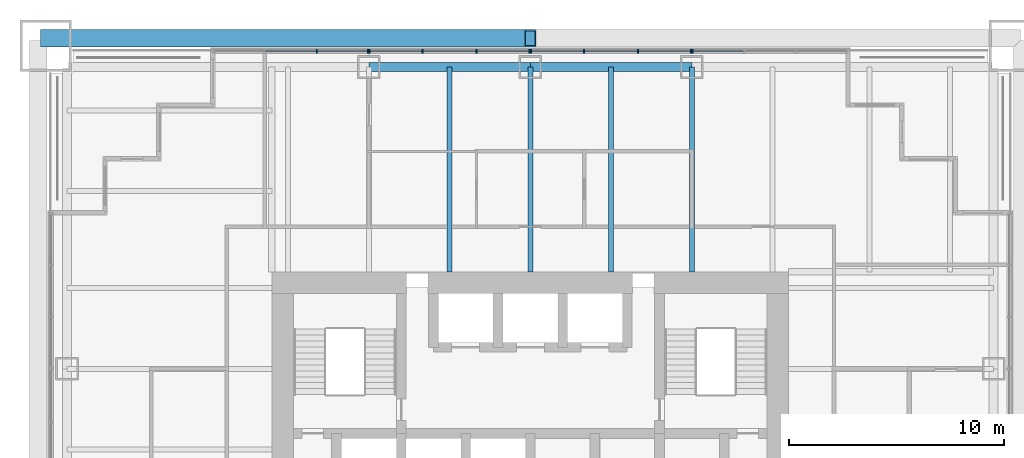
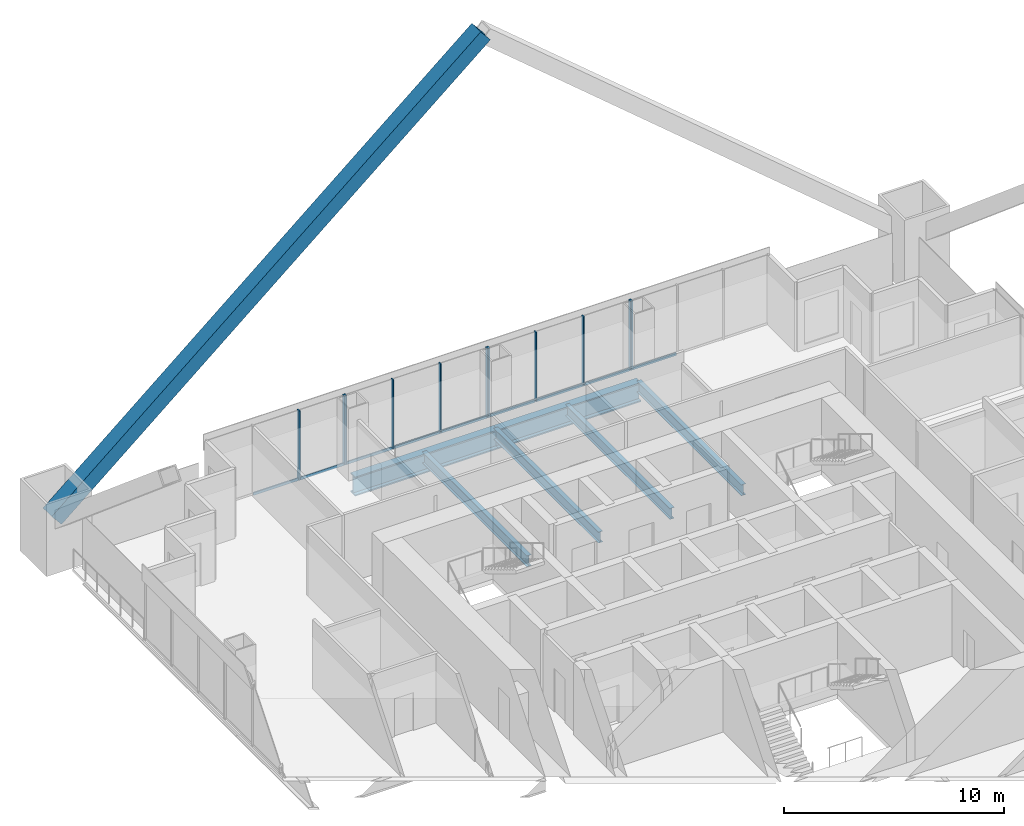
# One storey, part 10 of 19: 21 members, 6 beams, 4 elements without a shape of their own.
"""IFC4 building model written with IfcOpenShell, lengths in metres."""

from ifc_helpers import new_model, si_unit, direction, frame, origin, origin_2d, place, context, subcontext, project, spatial, rectangle, hollow_rectangle, i_section, extrude, material, material_profile, profile_set, type_object, element, aggregate, save


model = new_model("IFC4")

# Units and contexts
model_context = context("Model", 3, precision=1e-05, world=origin(), true_north=direction((0.0, 1.0)))
body_context = subcontext(model_context, "Body", "Model", "MODEL_VIEW")
ifc_project = project(units=[si_unit("LENGTHUNIT", "METRE"), si_unit("AREAUNIT", "SQUARE_METRE"), si_unit("VOLUMEUNIT", "CUBIC_METRE"), si_unit("PLANEANGLEUNIT", "RADIAN"), si_unit("MASSUNIT", "GRAM", prefix="KILO")], contexts=[model_context])

# Site, building, storey
site_placement = place(None, origin())
site = spatial("IfcSite", under=ifc_project, at=site_placement, CompositionType="ELEMENT")
building_placement = place(site_placement, origin())
building = spatial("IfcBuilding", under=site, at=building_placement, Name="Tarangal Relay Tower", CompositionType="ELEMENT")
storey_placement = place(building_placement, frame((0.0, 0.0, 213.89990234375)))
storey = spatial("IfcBuildingStorey", under=building, at=storey_placement, Name="L45", CompositionType="ELEMENT", Elevation=213.89990234375)

# Beams
ifc_material_1 = material(Name="Steel ASTM A992", Category="steel")
ifc_material_profile_1 = material_profile(ifc_material_1, i_section(OverallWidth=0.41650390625, OverallDepth=1.0693359375, WebThickness=0.0390625, FlangeThickness=0.070068359375, at=origin_2d()), Name="W40X503")
ifc_profile_set_1 = profile_set([ifc_material_profile_1], Name="Steel ASTM A992")
beam_type_1 = type_object("IfcBeamType", Name="Edge girder W40X503", PredefinedType="SPANDREL", material=ifc_profile_set_1)
for number, where, z_axis, x_axis, name in (
    (1, (-7.5, 21.514892578125, -0.6845703125), (1.0, 0.0, 0.0), (0.0, 1.0, 0.0), "Edge girder EG8 N L45"),
    (2, (0.0, 21.514892578125, -0.6845703125), (1.0, 0.0, 0.0), (0.0, 1.0, 0.0), "Edge girder EG8 N L45"),
):
    element("IfcBeam", number, at=place(storey_placement, frame(where, z_axis=z_axis, x_axis=x_axis)), inside=storey, type_object=beam_type_1, Name=name, PredefinedType="SPANDREL", context=body_context, shape_type="SweptSolid", body=[
        extrude(i_section(OverallWidth=0.41650390625, OverallDepth=1.0693359375, WebThickness=0.0390625, FlangeThickness=0.070068359375, at=origin_2d()), origin(), (0.0, 0.0, 1.0), 7.5),
    ])
ifc_material_profile_2 = material_profile(ifc_material_1, i_section(OverallWidth=0.22900390625, OverallDepth=0.612060546875, WebThickness=0.011962890625, FlangeThickness=0.01953125, at=origin_2d()), Name="W24X84")
ifc_profile_set_2 = profile_set([ifc_material_profile_2], Name="Steel ASTM A992")
beam_type_2 = type_object("IfcBeamType", Name="Floor beam W24X84", PredefinedType="BEAM", material=ifc_profile_set_2)
for number, where, z_axis, x_axis, name in (
    (3, (-3.75, 12.0, -0.455810546875), (0.0, 1.0, 0.0), (-1.0, 0.0, 0.0), "Floor beam RB12 N L45"),
    (4, (0.0, 12.0, -0.455810546875), (0.0, 1.0, 0.0), (-1.0, 0.0, 0.0), "Floor beam RB12 N L45"),
    (5, (3.75, 12.0, -0.455810546875), (0.0, 1.0, 0.0), (-1.0, 0.0, 0.0), "Floor beam RB12 N L45"),
    (6, (7.5, 12.0, -0.455810546875), (0.0, 1.0, 0.0), (-1.0, 0.0, 0.0), "Floor beam RB12 N L45"),
):
    element("IfcBeam", number, at=place(storey_placement, frame(where, z_axis=z_axis, x_axis=x_axis)), inside=storey, type_object=beam_type_2, Name=name, PredefinedType="BEAM", context=body_context, shape_type="SweptSolid", body=[
        extrude(i_section(OverallWidth=0.22900390625, OverallDepth=0.612060546875, WebThickness=0.011962890625, FlangeThickness=0.01953125, at=origin_2d()), origin(), (0.0, 0.0, 1.0), 9.514892578125),
    ])

# Member
ifc_material_2 = material(Name="Steel ASTM A572 Grade 50", Category="steel")
ifc_material_profile_3 = material_profile(ifc_material_2, hollow_rectangle(XDim=0.800048828125, YDim=0.800048828125, WallThickness=0.06494140625, at=origin_2d()), Name="BOX800X800X65")
ifc_profile_set_3 = profile_set([ifc_material_profile_3], Name="Steel ASTM A572 Grade 50")
member_type_1 = type_object("IfcMemberType", Name="Mega brace BOX800X800X65", PredefinedType="BRACE", material=ifc_profile_set_3)
member_1_placement = place(storey_placement, frame((-22.5, 22.85009765625, 2.0), z_axis=(0.764029915847, 0.0, 0.645180817826), x_axis=(0.0, 1.0, 0.0)))
element("IfcMember", 7, at=member_1_placement, inside=storey, type_object=member_type_1, Name="Mega brace MB3 N face module 2", PredefinedType="BRACE", context=body_context, shape_type="SweptSolid", body=[
    extrude(hollow_rectangle(XDim=0.800048828125, YDim=0.800048828125, WallThickness=0.06494140625, at=origin_2d()), origin(), (0.0, 0.0, 1.0), 29.44921875),
])

# Curtain wall, members
ifc_material_3 = material(Name="Unitised curtain wall, dark glass and black aluminium", Category="aluminium")
curtain_wall_type = type_object("IfcCurtainWallType", Name="Curtain wall CW-A", PredefinedType="USERDEFINED", material=ifc_material_3)
curtain_wall_1_placement = place(storey_placement, origin())
curtain_wall_1 = element("IfcCurtainWall", 8, at=curtain_wall_1_placement, inside=storey, type_object=curtain_wall_type, Name="Curtain wall CW-A N facade L45", ObjectType="UNITISED CURTAIN WALL", PredefinedType="USERDEFINED")
ifc_material_4 = material(Name="Black anodised aluminium mullion", Category="aluminium")
ifc_material_profile_4 = material_profile(ifc_material_4, rectangle(XDim=0.175048828125, YDim=0.06494140625, at=origin_2d()), Name="CW-AM 65X175")
ifc_profile_set_4 = profile_set([ifc_material_profile_4], Name="Black anodised aluminium mullion")
member_type_2 = type_object("IfcMemberType", Name="Mullion CW-A 65 x 175", PredefinedType="MULLION", material=ifc_profile_set_4)
member_2_placement = place(storey_placement, frame((-9.916748046875, 22.25, 0.0), z_axis=(0.0, 0.0, 1.0), x_axis=(0.0, 1.0, 0.0)))
member_2 = element("IfcMember", 9, at=member_2_placement, type_object=member_type_2, Name="CW-A mullion 3", PredefinedType="MULLION", context=body_context, shape_type="SweptSolid", body=[
    extrude(rectangle(XDim=0.175048828125, YDim=0.06494140625, at=origin_2d()), origin(), (0.0, 0.0, 1.0), 3.85009765625),
])
member_3_placement = place(storey_placement, frame((-7.532470703125, 22.25, 0.0), z_axis=(0.0, 0.0, 1.0), x_axis=(0.0, 1.0, 0.0)))
member_3 = element("IfcMember", 10, at=member_3_placement, type_object=member_type_2, Name="CW-A mullion 4", PredefinedType="MULLION", context=body_context, shape_type="SweptSolid", body=[
    extrude(rectangle(XDim=0.175048828125, YDim=0.06494140625, at=origin_2d()), origin(), (0.0, 0.0, 1.0), 3.85009765625),
])

curtain_wall_2_placement = place(storey_placement, origin())
curtain_wall_2 = element("IfcCurtainWall", 11, at=curtain_wall_2_placement, inside=storey, type_object=curtain_wall_type, Name="Curtain wall CW-A N facade L45", ObjectType="UNITISED CURTAIN WALL", PredefinedType="USERDEFINED")
member_4_placement = place(storey_placement, frame((-7.467529296875, 22.25, 0.0), z_axis=(0.0, 0.0, 1.0), x_axis=(0.0, 1.0, 0.0)))
member_4 = element("IfcMember", 12, at=member_4_placement, type_object=member_type_2, Name="CW-A mullion 1", PredefinedType="MULLION", context=body_context, shape_type="SweptSolid", body=[
    extrude(rectangle(XDim=0.175048828125, YDim=0.06494140625, at=origin_2d()), origin(), (0.0, 0.0, 1.0), 3.85009765625),
])
member_5_placement = place(storey_placement, frame((-5.0, 22.25, 0.0), z_axis=(0.0, 0.0, 1.0), x_axis=(0.0, 1.0, 0.0)))
member_5 = element("IfcMember", 13, at=member_5_placement, type_object=member_type_2, Name="CW-A mullion 2", PredefinedType="MULLION", context=body_context, shape_type="SweptSolid", body=[
    extrude(rectangle(XDim=0.175048828125, YDim=0.06494140625, at=origin_2d()), origin(), (0.0, 0.0, 1.0), 3.85009765625),
])
member_6_placement = place(storey_placement, frame((-2.5, 22.25, 0.0), z_axis=(0.0, 0.0, 1.0), x_axis=(0.0, 1.0, 0.0)))
member_6 = element("IfcMember", 14, at=member_6_placement, type_object=member_type_2, Name="CW-A mullion 3", PredefinedType="MULLION", context=body_context, shape_type="SweptSolid", body=[
    extrude(rectangle(XDim=0.175048828125, YDim=0.06494140625, at=origin_2d()), origin(), (0.0, 0.0, 1.0), 3.85009765625),
])
member_7_placement = place(storey_placement, frame((-0.032470703125, 22.25, 0.0), z_axis=(0.0, 0.0, 1.0), x_axis=(0.0, 1.0, 0.0)))
member_7 = element("IfcMember", 15, at=member_7_placement, type_object=member_type_2, Name="CW-A mullion 4", PredefinedType="MULLION", context=body_context, shape_type="SweptSolid", body=[
    extrude(rectangle(XDim=0.175048828125, YDim=0.06494140625, at=origin_2d()), origin(), (0.0, 0.0, 1.0), 3.85009765625),
])

curtain_wall_3_placement = place(storey_placement, origin())
curtain_wall_3 = element("IfcCurtainWall", 16, at=curtain_wall_3_placement, inside=storey, type_object=curtain_wall_type, Name="Curtain wall CW-A N facade L45", ObjectType="UNITISED CURTAIN WALL", PredefinedType="USERDEFINED")
member_8_placement = place(storey_placement, frame((0.032470703125, 22.25, 0.0), z_axis=(0.0, 0.0, 1.0), x_axis=(0.0, 1.0, 0.0)))
member_8 = element("IfcMember", 17, at=member_8_placement, type_object=member_type_2, Name="CW-A mullion 1", PredefinedType="MULLION", context=body_context, shape_type="SweptSolid", body=[
    extrude(rectangle(XDim=0.175048828125, YDim=0.06494140625, at=origin_2d()), origin(), (0.0, 0.0, 1.0), 3.85009765625),
])
member_9_placement = place(storey_placement, frame((2.5, 22.25, 0.0), z_axis=(0.0, 0.0, 1.0), x_axis=(0.0, 1.0, 0.0)))
member_9 = element("IfcMember", 18, at=member_9_placement, type_object=member_type_2, Name="CW-A mullion 2", PredefinedType="MULLION", context=body_context, shape_type="SweptSolid", body=[
    extrude(rectangle(XDim=0.175048828125, YDim=0.06494140625, at=origin_2d()), origin(), (0.0, 0.0, 1.0), 3.85009765625),
])
member_10_placement = place(storey_placement, frame((5.0, 22.25, 0.0), z_axis=(0.0, 0.0, 1.0), x_axis=(0.0, 1.0, 0.0)))
member_10 = element("IfcMember", 19, at=member_10_placement, type_object=member_type_2, Name="CW-A mullion 3", PredefinedType="MULLION", context=body_context, shape_type="SweptSolid", body=[
    extrude(rectangle(XDim=0.175048828125, YDim=0.06494140625, at=origin_2d()), origin(), (0.0, 0.0, 1.0), 3.85009765625),
])
member_11_placement = place(storey_placement, frame((7.467529296875, 22.25, 0.0), z_axis=(0.0, 0.0, 1.0), x_axis=(0.0, 1.0, 0.0)))
member_11 = element("IfcMember", 20, at=member_11_placement, type_object=member_type_2, Name="CW-A mullion 4", PredefinedType="MULLION", context=body_context, shape_type="SweptSolid", body=[
    extrude(rectangle(XDim=0.175048828125, YDim=0.06494140625, at=origin_2d()), origin(), (0.0, 0.0, 1.0), 3.85009765625),
])

# Curtain wall, member
curtain_wall_4_placement = place(storey_placement, origin())
curtain_wall_4 = element("IfcCurtainWall", 21, at=curtain_wall_4_placement, inside=storey, type_object=curtain_wall_type, Name="Curtain wall CW-A N facade L45", ObjectType="UNITISED CURTAIN WALL", PredefinedType="USERDEFINED")
member_12_placement = place(storey_placement, frame((7.532470703125, 22.25, 0.0), z_axis=(0.0, 0.0, 1.0), x_axis=(0.0, 1.0, 0.0)))
member_12 = element("IfcMember", 22, at=member_12_placement, type_object=member_type_2, Name="CW-A mullion 1", PredefinedType="MULLION", context=body_context, shape_type="SweptSolid", body=[
    extrude(rectangle(XDim=0.175048828125, YDim=0.06494140625, at=origin_2d()), origin(), (0.0, 0.0, 1.0), 3.85009765625),
])

# Member
ifc_material_5 = material(Name="Black anodised aluminium transom", Category="aluminium")
ifc_material_profile_5 = material_profile(ifc_material_5, rectangle(XDim=0.06494140625, YDim=0.14990234375, at=origin_2d()), Name="CW-AT 65X150")
ifc_profile_set_5 = profile_set([ifc_material_profile_5], Name="Black anodised aluminium transom")
member_type_3 = type_object("IfcMemberType", Name="Transom CW-A 65 x 150", PredefinedType="USERDEFINED", material=ifc_profile_set_5)
member_13_placement = place(storey_placement, frame((-12.30078125, 22.25, 0.03271484375), z_axis=(1.0, 0.0, 0.0), x_axis=(0.0, 1.0, 0.0)))
member_13 = element("IfcMember", 23, at=member_13_placement, type_object=member_type_3, Name="CW-A transom 2.1", ObjectType="TRANSOM", PredefinedType="USERDEFINED", context=body_context, shape_type="SweptSolid", body=[
    extrude(rectangle(XDim=0.06494140625, YDim=0.14990234375, at=origin_2d()), origin(), (0.0, 0.0, 1.0), 2.3515625),
])

member_14_placement = place(storey_placement, frame((-9.88427734375, 22.25, 0.03271484375), z_axis=(1.0, 0.0, 0.0), x_axis=(0.0, 1.0, 0.0)))
member_14 = element("IfcMember", 24, at=member_14_placement, type_object=member_type_3, Name="CW-A transom 3.1", ObjectType="TRANSOM", PredefinedType="USERDEFINED", context=body_context, shape_type="SweptSolid", body=[
    extrude(rectangle(XDim=0.06494140625, YDim=0.14990234375, at=origin_2d()), origin(), (0.0, 0.0, 1.0), 2.3193359375),
])

aggregate(curtain_wall_1, [member_2, member_3, member_13, member_14])

member_15_placement = place(storey_placement, frame((-7.43505859375, 22.25, 0.03271484375), z_axis=(1.0, 0.0, 0.0), x_axis=(0.0, 1.0, 0.0)))
member_15 = element("IfcMember", 25, at=member_15_placement, type_object=member_type_3, Name="CW-A transom 1.1", ObjectType="TRANSOM", PredefinedType="USERDEFINED", context=body_context, shape_type="SweptSolid", body=[
    extrude(rectangle(XDim=0.06494140625, YDim=0.14990234375, at=origin_2d()), origin(), (0.0, 0.0, 1.0), 2.402587890625),
])

member_16_placement = place(storey_placement, frame((-4.967529296875, 22.25, 0.03271484375), z_axis=(1.0, 0.0, 0.0), x_axis=(0.0, 1.0, 0.0)))
member_16 = element("IfcMember", 26, at=member_16_placement, type_object=member_type_3, Name="CW-A transom 2.1", ObjectType="TRANSOM", PredefinedType="USERDEFINED", context=body_context, shape_type="SweptSolid", body=[
    extrude(rectangle(XDim=0.06494140625, YDim=0.14990234375, at=origin_2d()), origin(), (0.0, 0.0, 1.0), 2.43505859375),
])

member_17_placement = place(storey_placement, frame((-2.467529296875, 22.25, 0.03271484375), z_axis=(1.0, 0.0, 0.0), x_axis=(0.0, 1.0, 0.0)))
member_17 = element("IfcMember", 27, at=member_17_placement, type_object=member_type_3, Name="CW-A transom 3.1", ObjectType="TRANSOM", PredefinedType="USERDEFINED", context=body_context, shape_type="SweptSolid", body=[
    extrude(rectangle(XDim=0.06494140625, YDim=0.14990234375, at=origin_2d()), origin(), (0.0, 0.0, 1.0), 2.402587890625),
])

aggregate(curtain_wall_2, [member_4, member_5, member_6, member_7, member_15, member_16, member_17])

member_18_placement = place(storey_placement, frame((0.06494140625, 22.25, 0.03271484375), z_axis=(1.0, 0.0, 0.0), x_axis=(0.0, 1.0, 0.0)))
member_18 = element("IfcMember", 28, at=member_18_placement, type_object=member_type_3, Name="CW-A transom 1.1", ObjectType="TRANSOM", PredefinedType="USERDEFINED", context=body_context, shape_type="SweptSolid", body=[
    extrude(rectangle(XDim=0.06494140625, YDim=0.14990234375, at=origin_2d()), origin(), (0.0, 0.0, 1.0), 2.402587890625),
])

member_19_placement = place(storey_placement, frame((2.532470703125, 22.25, 0.03271484375), z_axis=(1.0, 0.0, 0.0), x_axis=(0.0, 1.0, 0.0)))
member_19 = element("IfcMember", 29, at=member_19_placement, type_object=member_type_3, Name="CW-A transom 2.1", ObjectType="TRANSOM", PredefinedType="USERDEFINED", context=body_context, shape_type="SweptSolid", body=[
    extrude(rectangle(XDim=0.06494140625, YDim=0.14990234375, at=origin_2d()), origin(), (0.0, 0.0, 1.0), 2.43505859375),
])

member_20_placement = place(storey_placement, frame((5.032470703125, 22.25, 0.03271484375), z_axis=(1.0, 0.0, 0.0), x_axis=(0.0, 1.0, 0.0)))
member_20 = element("IfcMember", 30, at=member_20_placement, type_object=member_type_3, Name="CW-A transom 3.1", ObjectType="TRANSOM", PredefinedType="USERDEFINED", context=body_context, shape_type="SweptSolid", body=[
    extrude(rectangle(XDim=0.06494140625, YDim=0.14990234375, at=origin_2d()), origin(), (0.0, 0.0, 1.0), 2.402587890625),
])

aggregate(curtain_wall_3, [member_8, member_9, member_10, member_11, member_18, member_19, member_20])

member_21_placement = place(storey_placement, frame((7.56494140625, 22.25, 0.03271484375), z_axis=(1.0, 0.0, 0.0), x_axis=(0.0, 1.0, 0.0)))
member_21 = element("IfcMember", 31, at=member_21_placement, type_object=member_type_3, Name="CW-A transom 1.1", ObjectType="TRANSOM", PredefinedType="USERDEFINED", context=body_context, shape_type="SweptSolid", body=[
    extrude(rectangle(XDim=0.06494140625, YDim=0.14990234375, at=origin_2d()), origin(), (0.0, 0.0, 1.0), 2.3193359375),
])

aggregate(curtain_wall_4, [member_12, member_21])

save(model, "model.ifc")
